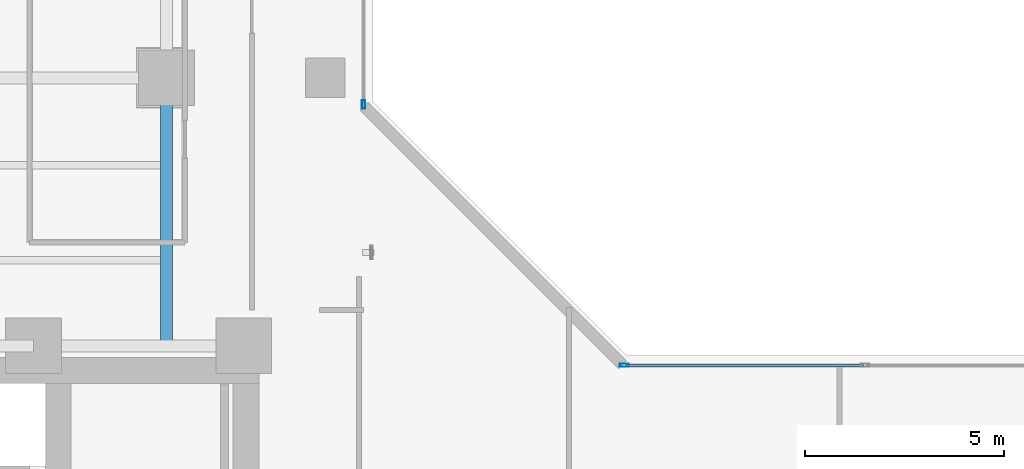
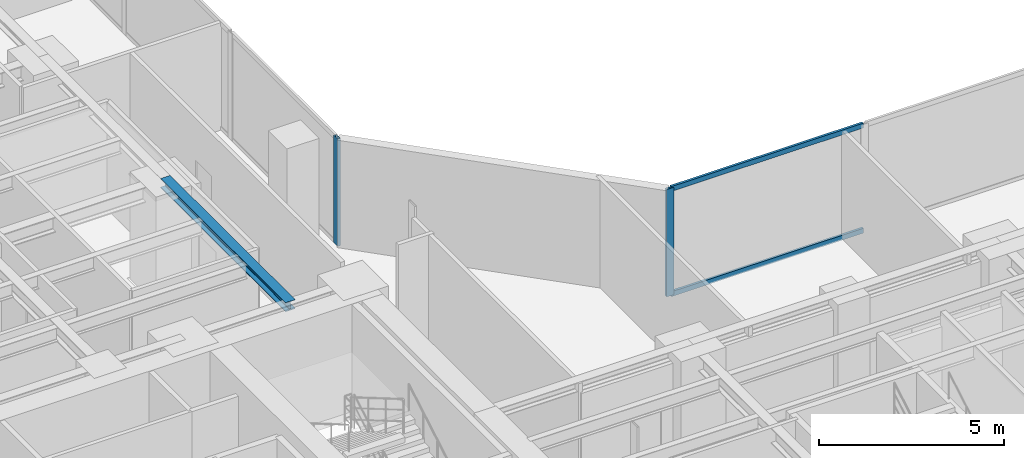
# One storey, part 9 of 26: 4 members, 1 beam, 2 elements without a shape of their own.
"""IFC4 building model written with IfcOpenShell, lengths in metres."""

from ifc_helpers import new_model, si_unit, direction, frame, origin, origin_with_axes, origin_2d, place, context, subcontext, project, spatial, hollow_rectangle, i_section, extrude, source, transform, mapped, material, layer, layer_set, material_profile, profile_set, type_object, element, aggregate, save


model = new_model("IFC4")

# Units and contexts
model_context = context("Model", 3, precision=1e-05, world=origin(), true_north=direction((0.0, 1.0)))
body_context = subcontext(model_context, "Body", "Model", "MODEL_VIEW")
ifc_project = project(units=[si_unit("LENGTHUNIT", "METRE"), si_unit("AREAUNIT", "SQUARE_METRE"), si_unit("VOLUMEUNIT", "CUBIC_METRE"), si_unit("PLANEANGLEUNIT", "RADIAN"), si_unit("MASSUNIT", "GRAM", prefix="KILO")], contexts=[model_context])

# Site, building, storey
site_placement = place(None, origin())
site = spatial("IfcSite", under=ifc_project, at=site_placement, CompositionType="ELEMENT")
building_placement = place(site_placement, origin())
building = spatial("IfcBuilding", under=site, at=building_placement, Name="Kolvaren Waterfront Exchange", CompositionType="ELEMENT")
storey_placement = place(building_placement, frame((0.0, 0.0, 122.10009765625)))
storey = spatial("IfcBuildingStorey", under=building, at=storey_placement, Name="L31", CompositionType="ELEMENT", Elevation=122.10009765625)

# Beam
ifc_material_1 = material(Name="Steel S355", Category="steel")
ifc_material_profile_1 = material_profile(ifc_material_1, i_section(OverallWidth=0.300048828125, OverallDepth=0.300048828125, WebThickness=0.010986328125, FlangeThickness=0.01904296875, FilletRadius=0.027099609375, at=origin_2d()), Name="HEB300")
ifc_profile_set_1 = profile_set([ifc_material_profile_1], Name="Steel S355")
beam_type = type_object("IfcBeamType", Name="STR-BM-HEB300", PredefinedType="SPANDREL", material=ifc_profile_set_1)
beam_placement = place(storey_placement, frame((18.800048828125, 24.449951171875, 3.389892578125), z_axis=(0.0, 1.0, 0.0), x_axis=(-1.0, 0.0, 0.0)))
element("IfcBeam", 1, at=beam_placement, inside=storey, type_object=beam_type, Name="L31 north-arm edge beam 1", PredefinedType="SPANDREL", context=body_context, shape_type="SweptSolid", body=[
    extrude(i_section(OverallWidth=0.300048828125, OverallDepth=0.300048828125, WebThickness=0.010986328125, FlangeThickness=0.01904296875, FilletRadius=0.027099609375, at=origin_2d()), origin(), (0.0, 0.0, 1.0), 6.75),
])

# Curtain wall, member
ifc_material_2 = material(Name="Anodised bronze aluminium 6063-T6", Category="aluminium")
ifc_layer = layer(ifc_material_2, 0.219970703125, Name="Anodised bronze aluminium 6063-T6")
ifc_layer_set = layer_set([ifc_layer], Name="Anodised bronze aluminium 6063-T6")
curtain_wall_type = type_object("IfcCurtainWallType", Name="ARC-CW-SYS1", PredefinedType="USERDEFINED", material=ifc_layer_set)
curtain_wall_1_placement = place(storey_placement, origin())
curtain_wall_1 = element("IfcCurtainWall", 2, at=curtain_wall_1_placement, inside=storey, type_object=curtain_wall_type, Name="L31 stick curtain wall CW1 (CW-L31-NE)", ObjectType="STICK CURTAIN WALL", PredefinedType="USERDEFINED")
ifc_material_3 = material(Name="Anodised aluminium 6063-T6", Category="aluminium")
ifc_material_profile_2 = material_profile(ifc_material_3, hollow_rectangle(XDim=0.080078125, YDim=0.219970703125, WallThickness=0.0048828125, at=origin_2d()), Name="ALU-MUL-220x80x5")
ifc_profile_set_2 = profile_set([ifc_material_profile_2], Name="Anodised aluminium 6063-T6")
member_type_1 = type_object("IfcMemberType", Name="ARC-CWM-220", PredefinedType="MULLION", material=ifc_profile_set_2)
shared_shape_1 = source(origin_with_axes(), body_context, "Body", "SweptSolid", [
    extrude(hollow_rectangle(XDim=0.080078125, YDim=0.219970703125, WallThickness=0.0048828125, at=origin_2d()), origin(), (0.0, 0.0, 1.0), 3.539794921875),
])
member_1_placement = place(storey_placement, frame((23.760009765625, 30.530029296875, 0.0), z_axis=(0.0, 0.0, 1.0), x_axis=(-1.0, 0.0, 0.0)))
member_1 = element("IfcMember", 3, at=member_1_placement, type_object=member_type_1, Name="CW1 mullion 1", PredefinedType="MULLION", context=body_context, shape_type="MappedRepresentation", body=[
    mapped(shared_shape_1, transform((0.0, 0.0, 0.0), x_axis=(1.0, 0.0, 0.0), y_axis=(0.0, 1.0, 0.0), z_axis=(0.0, 0.0, 1.0), scale=1.0)),
])
aggregate(curtain_wall_1, [member_1])

# Curtain wall, members
curtain_wall_2_placement = place(storey_placement, origin())
curtain_wall_2 = element("IfcCurtainWall", 4, at=curtain_wall_2_placement, inside=storey, type_object=curtain_wall_type, Name="L31 stick curtain wall CW1 (CW-L31-EN)", ObjectType="STICK CURTAIN WALL", PredefinedType="USERDEFINED")
member_2_placement = place(storey_placement, frame((30.330078125, 23.9599609375, 0.0), z_axis=(0.0, 0.0, 1.0), x_axis=(0.0, 1.0, 0.0)))
member_2 = element("IfcMember", 5, at=member_2_placement, type_object=member_type_1, Name="CW1 mullion 1", PredefinedType="MULLION", context=body_context, shape_type="MappedRepresentation", body=[
    mapped(shared_shape_1, transform((0.0, 0.0, 0.0), x_axis=(1.0, 0.0, 0.0), y_axis=(0.0, 1.0, 0.0), z_axis=(0.0, 0.0, 1.0), scale=1.0)),
])
ifc_material_profile_3 = material_profile(ifc_material_3, hollow_rectangle(XDim=0.074951171875, YDim=0.159912109375, WallThickness=0.00439453125, at=origin_2d()), Name="ALU-TRN-160x75x4.5")
ifc_profile_set_3 = profile_set([ifc_material_profile_3], Name="Anodised aluminium 6063-T6")
member_type_2 = type_object("IfcMemberType", Name="ARC-CWT-160", PredefinedType="USERDEFINED", material=ifc_profile_set_3)
shared_shape_2 = source(origin_with_axes(), body_context, "Body", "SweptSolid", [
    extrude(hollow_rectangle(XDim=0.074951171875, YDim=0.159912109375, WallThickness=0.00439453125, at=origin_2d()), origin(), (0.0, 0.0, 1.0), 5.982421875),
])
member_3_placement = place(storey_placement, frame((30.3701171875, 23.9599609375, 0.037353515625), z_axis=(1.0, 0.0, 0.0), x_axis=(0.0, 1.0, 0.0)))
member_3 = element("IfcMember", 6, at=member_3_placement, type_object=member_type_2, Name="CW1 transom 1.1", ObjectType="TRANSOM", PredefinedType="USERDEFINED", context=body_context, shape_type="MappedRepresentation", body=[
    mapped(shared_shape_2, transform((0.0, 0.0, 0.0), x_axis=(1.0, 0.0, 0.0), y_axis=(0.0, 1.0, 0.0), z_axis=(0.0, 0.0, 1.0), scale=1.0)),
])
member_4_placement = place(storey_placement, frame((30.3701171875, 23.9599609375, 3.50244140625), z_axis=(1.0, 0.0, 0.0), x_axis=(0.0, 1.0, 0.0)))
member_4 = element("IfcMember", 7, at=member_4_placement, type_object=member_type_2, Name="CW1 transom 1.2", ObjectType="TRANSOM", PredefinedType="USERDEFINED", context=body_context, shape_type="MappedRepresentation", body=[
    mapped(shared_shape_2, transform((0.0, 0.0, 0.0), x_axis=(1.0, 0.0, 0.0), y_axis=(0.0, 1.0, 0.0), z_axis=(0.0, 0.0, 1.0), scale=1.0)),
])
aggregate(curtain_wall_2, [member_2, member_3, member_4])

save(model, "model.ifc")
